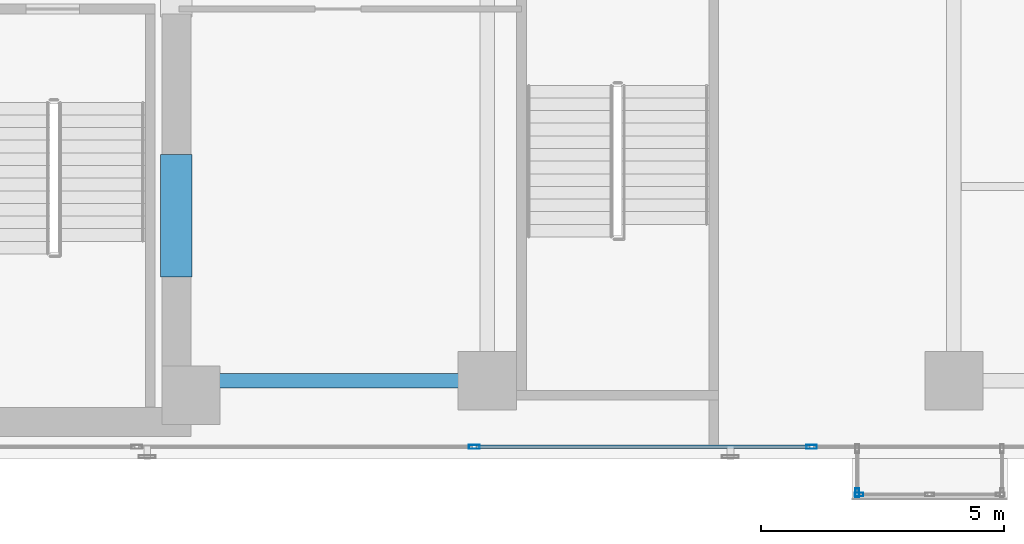
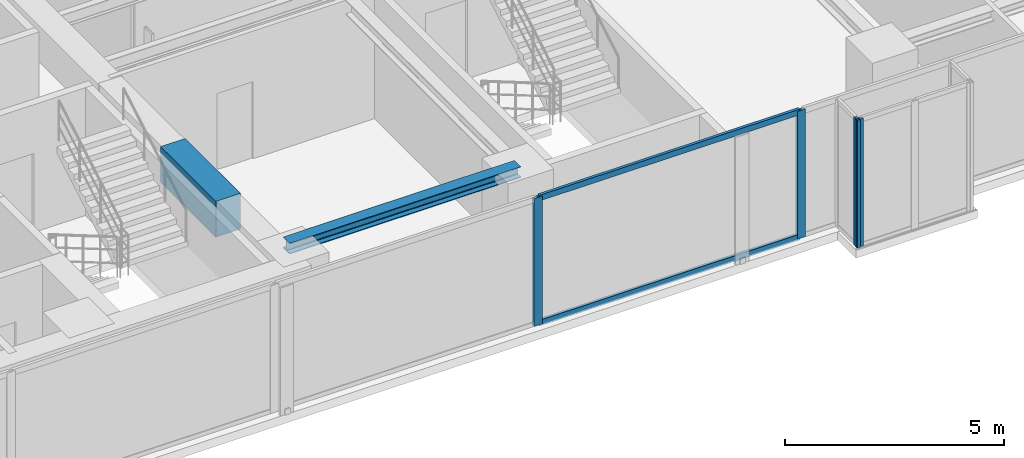
# One storey, part 4 of 27: 6 members, 2 beams, 3 elements without a shape of their own.
"""IFC4 building model written with IfcOpenShell, lengths in metres."""

from ifc_helpers import new_model, si_unit, direction, frame, origin, origin_with_axes, origin_2d, place, context, subcontext, project, spatial, rectangle, hollow_rectangle, i_section, extrude, source, transform, mapped, material, layer, layer_set, material_profile, profile_set, type_object, element, aggregate, save


model = new_model("IFC4")

# Units and contexts
model_context = context("Model", 3, precision=1e-05, world=origin(), true_north=direction((0.0, 1.0)))
body_context = subcontext(model_context, "Body", "Model", "MODEL_VIEW")
ifc_project = project(units=[si_unit("LENGTHUNIT", "METRE"), si_unit("AREAUNIT", "SQUARE_METRE"), si_unit("VOLUMEUNIT", "CUBIC_METRE"), si_unit("PLANEANGLEUNIT", "RADIAN"), si_unit("MASSUNIT", "GRAM", prefix="KILO")], contexts=[model_context])

# Site, building, storey
site_placement = place(None, origin())
site = spatial("IfcSite", under=ifc_project, at=site_placement, CompositionType="ELEMENT")
building_placement = place(site_placement, origin())
building = spatial("IfcBuilding", under=site, at=building_placement, Name="Kolvaren Waterfront Exchange", CompositionType="ELEMENT")
storey_placement = place(building_placement, frame((0.0, 0.0, 191.800048828125)))
storey = spatial("IfcBuildingStorey", under=building, at=storey_placement, Name="L49", CompositionType="ELEMENT", Elevation=191.800048828125)

# Beams
ifc_material_1 = material(Name="Steel S355", Category="steel")
ifc_material_profile_1 = material_profile(ifc_material_1, i_section(OverallWidth=0.300048828125, OverallDepth=0.300048828125, WebThickness=0.010986328125, FlangeThickness=0.01904296875, FilletRadius=0.027099609375, at=origin_2d()), Name="HEB300")
ifc_profile_set_1 = profile_set([ifc_material_profile_1], Name="Steel S355")
beam_type_1 = type_object("IfcBeamType", Name="STR-BM-HEB300", PredefinedType="SPANDREL", material=ifc_profile_set_1)
beam_1_placement = place(storey_placement, frame((21.10009765625, 5.199951171875, 3.409912109375), z_axis=(1.0, 0.0, 0.0), x_axis=(0.0, 1.0, 0.0)))
element("IfcBeam", 1, at=beam_1_placement, inside=storey, type_object=beam_type_1, Name="L49 east-arm spandrel S1", PredefinedType="SPANDREL", context=body_context, shape_type="SweptSolid", body=[
    extrude(i_section(OverallWidth=0.300048828125, OverallDepth=0.300048828125, WebThickness=0.010986328125, FlangeThickness=0.01904296875, FilletRadius=0.027099609375, at=origin_2d()), origin(), (0.0, 0.0, 1.0), 6.099853515625),
])
ifc_material_2 = material(Name="Concrete C60/75", Category="concrete")
ifc_material_profile_2 = material_profile(ifc_material_2, rectangle(XDim=0.64990234375, YDim=1.0, at=origin_2d()), Name="RC-CB-1000x650")
ifc_profile_set_2 = profile_set([ifc_material_profile_2], Name="Concrete C60/75")
beam_type_2 = type_object("IfcBeamType", Name="STR-CB-1000", PredefinedType="SPANDREL", material=ifc_profile_set_2)
beam_2_placement = place(storey_placement, frame((20.800048828125, 7.340087890625, 3.06005859375), z_axis=(0.0, 1.0, 0.0), x_axis=(-1.0, 0.0, 0.0)))
element("IfcBeam", 2, at=beam_2_placement, inside=storey, type_object=beam_type_2, Name="L49 core coupling beam 1", PredefinedType="SPANDREL", context=body_context, shape_type="SweptSolid", body=[
    extrude(rectangle(XDim=0.64990234375, YDim=1.0, at=origin_2d()), origin(), (0.0, 0.0, 1.0), 2.52001953125),
])

# Curtain wall, member
ifc_material_3 = material(Name="Anodised bronze aluminium 6063-T6", Category="aluminium")
ifc_layer_1 = layer(ifc_material_3, 0.219970703125, Name="Anodised bronze aluminium 6063-T6")
ifc_layer_set_1 = layer_set([ifc_layer_1], Name="Anodised bronze aluminium 6063-T6")
curtain_wall_type_1 = type_object("IfcCurtainWallType", Name="ARC-CW-SYS3", PredefinedType="USERDEFINED", material=ifc_layer_set_1)
curtain_wall_1_placement = place(storey_placement, origin())
curtain_wall_1 = element("IfcCurtainWall", 3, at=curtain_wall_1_placement, inside=storey, type_object=curtain_wall_type_1, Name="L49 stick curtain wall CW3 (CW-L49-BOX-W)", ObjectType="STICK CURTAIN WALL", PredefinedType="USERDEFINED")
ifc_material_profile_3 = material_profile(ifc_material_3, hollow_rectangle(XDim=0.074951171875, YDim=0.179931640625, WallThickness=0.00439453125, at=origin_2d()), Name="ALU-MUL-180x75x4.5")
ifc_profile_set_3 = profile_set([ifc_material_profile_3], Name="Anodised bronze aluminium 6063-T6")
member_type_1 = type_object("IfcMemberType", Name="ARC-CWM-180", PredefinedType="MULLION", material=ifc_profile_set_3)
shared_shape_1 = source(origin_with_axes(), body_context, "Body", "SweptSolid", [
    extrude(hollow_rectangle(XDim=0.074951171875, YDim=0.179931640625, WallThickness=0.00439453125, at=origin_2d()), origin(), (0.0, 0.0, 1.0), 3.56005859375),
])
member_1_placement = place(storey_placement, frame((34.81005859375, 2.8974609375, 0.0), z_axis=(0.0, 0.0, 1.0), x_axis=(1.0, 0.0, 0.0)))
member_1 = element("IfcMember", 4, at=member_1_placement, type_object=member_type_1, Name="CW3 mullion 2", PredefinedType="MULLION", context=body_context, shape_type="MappedRepresentation", body=[
    mapped(shared_shape_1, transform((0.0, 0.0, 0.0), x_axis=(1.0, 0.0, 0.0), y_axis=(0.0, 1.0, 0.0), z_axis=(0.0, 0.0, 1.0), scale=1.0)),
])
aggregate(curtain_wall_1, [member_1])

curtain_wall_2_placement = place(storey_placement, origin())
curtain_wall_2 = element("IfcCurtainWall", 5, at=curtain_wall_2_placement, inside=storey, type_object=curtain_wall_type_1, Name="L49 stick curtain wall CW3 (CW-L49-BOX)", ObjectType="STICK CURTAIN WALL", PredefinedType="USERDEFINED")
member_2_placement = place(storey_placement, frame((34.847412109375, 2.860107421875, 0.0), z_axis=(0.0, 0.0, 1.0), x_axis=(0.0, 1.0, 0.0)))
member_2 = element("IfcMember", 6, at=member_2_placement, type_object=member_type_1, Name="CW3 mullion 1", PredefinedType="MULLION", context=body_context, shape_type="MappedRepresentation", body=[
    mapped(shared_shape_1, transform((0.0, 0.0, 0.0), x_axis=(1.0, 0.0, 0.0), y_axis=(0.0, 1.0, 0.0), z_axis=(0.0, 0.0, 1.0), scale=1.0)),
])
aggregate(curtain_wall_2, [member_2])

# Curtain wall, members
ifc_layer_2 = layer(ifc_material_3, 0.219970703125, Name="Anodised bronze aluminium 6063-T6")
ifc_layer_set_2 = layer_set([ifc_layer_2], Name="Anodised bronze aluminium 6063-T6")
curtain_wall_type_2 = type_object("IfcCurtainWallType", Name="ARC-CW-SYS1", PredefinedType="USERDEFINED", material=ifc_layer_set_2)
curtain_wall_3_placement = place(storey_placement, origin())
curtain_wall_3 = element("IfcCurtainWall", 7, at=curtain_wall_3_placement, inside=storey, type_object=curtain_wall_type_2, Name="L49 stick curtain wall CW1 (CW-L49-S)", ObjectType="STICK CURTAIN WALL", PredefinedType="USERDEFINED")
ifc_material_4 = material(Name="Anodised aluminium 6063-T6", Category="aluminium")
ifc_material_profile_4 = material_profile(ifc_material_4, hollow_rectangle(XDim=0.080078125, YDim=0.219970703125, WallThickness=0.0048828125, at=origin_2d()), Name="ALU-MUL-220x80x5")
ifc_profile_set_4 = profile_set([ifc_material_profile_4], Name="Anodised aluminium 6063-T6")
member_type_2 = type_object("IfcMemberType", Name="ARC-CWM-220", PredefinedType="MULLION", material=ifc_profile_set_4)
shared_shape_2 = source(origin_with_axes(), body_context, "Body", "SweptSolid", [
    extrude(hollow_rectangle(XDim=0.080078125, YDim=0.219970703125, WallThickness=0.0048828125, at=origin_2d()), origin(), (0.0, 0.0, 1.0), 3.56005859375),
])
member_3_placement = place(storey_placement, frame((26.928466796875, 3.840087890625, 0.0), z_axis=(0.0, 0.0, 1.0), x_axis=(0.0, 1.0, 0.0)))
member_3 = element("IfcMember", 8, at=member_3_placement, type_object=member_type_2, Name="CW1 mullion 4", PredefinedType="MULLION", context=body_context, shape_type="MappedRepresentation", body=[
    mapped(shared_shape_2, transform((0.0, 0.0, 0.0), x_axis=(1.0, 0.0, 0.0), y_axis=(0.0, 1.0, 0.0), z_axis=(0.0, 0.0, 1.0), scale=1.0)),
])
member_4_placement = place(storey_placement, frame((33.871337890625, 3.840087890625, 0.0), z_axis=(0.0, 0.0, 1.0), x_axis=(0.0, 1.0, 0.0)))
member_4 = element("IfcMember", 9, at=member_4_placement, type_object=member_type_2, Name="CW1 mullion 5", PredefinedType="MULLION", context=body_context, shape_type="MappedRepresentation", body=[
    mapped(shared_shape_2, transform((0.0, 0.0, 0.0), x_axis=(1.0, 0.0, 0.0), y_axis=(0.0, 1.0, 0.0), z_axis=(0.0, 0.0, 1.0), scale=1.0)),
])
ifc_material_profile_5 = material_profile(ifc_material_4, hollow_rectangle(XDim=0.074951171875, YDim=0.159912109375, WallThickness=0.00439453125, at=origin_2d()), Name="ALU-TRN-160x75x4.5")
ifc_profile_set_5 = profile_set([ifc_material_profile_5], Name="Anodised aluminium 6063-T6")
member_type_3 = type_object("IfcMemberType", Name="ARC-CWT-160", PredefinedType="USERDEFINED", material=ifc_profile_set_5)
shared_shape_3 = source(origin_with_axes(), body_context, "Body", "SweptSolid", [
    extrude(hollow_rectangle(XDim=0.074951171875, YDim=0.159912109375, WallThickness=0.00439453125, at=origin_2d()), origin(), (0.0, 0.0, 1.0), 6.863037109375),
])
member_5_placement = place(storey_placement, frame((26.968505859375, 3.840087890625, 0.037353515625), z_axis=(1.0, 0.0, 0.0), x_axis=(0.0, 1.0, 0.0)))
member_5 = element("IfcMember", 10, at=member_5_placement, type_object=member_type_3, Name="CW1 transom 4.1", ObjectType="TRANSOM", PredefinedType="USERDEFINED", context=body_context, shape_type="MappedRepresentation", body=[
    mapped(shared_shape_3, transform((0.0, 0.0, 0.0), x_axis=(1.0, 0.0, 0.0), y_axis=(0.0, 1.0, 0.0), z_axis=(0.0, 0.0, 1.0), scale=1.0)),
])
member_6_placement = place(storey_placement, frame((26.968505859375, 3.840087890625, 3.5224609375), z_axis=(1.0, 0.0, 0.0), x_axis=(0.0, 1.0, 0.0)))
member_6 = element("IfcMember", 11, at=member_6_placement, type_object=member_type_3, Name="CW1 transom 4.2", ObjectType="TRANSOM", PredefinedType="USERDEFINED", context=body_context, shape_type="MappedRepresentation", body=[
    mapped(shared_shape_3, transform((0.0, 0.0, 0.0), x_axis=(1.0, 0.0, 0.0), y_axis=(0.0, 1.0, 0.0), z_axis=(0.0, 0.0, 1.0), scale=1.0)),
])
aggregate(curtain_wall_3, [member_3, member_4, member_5, member_6])

save(model, "model.ifc")
